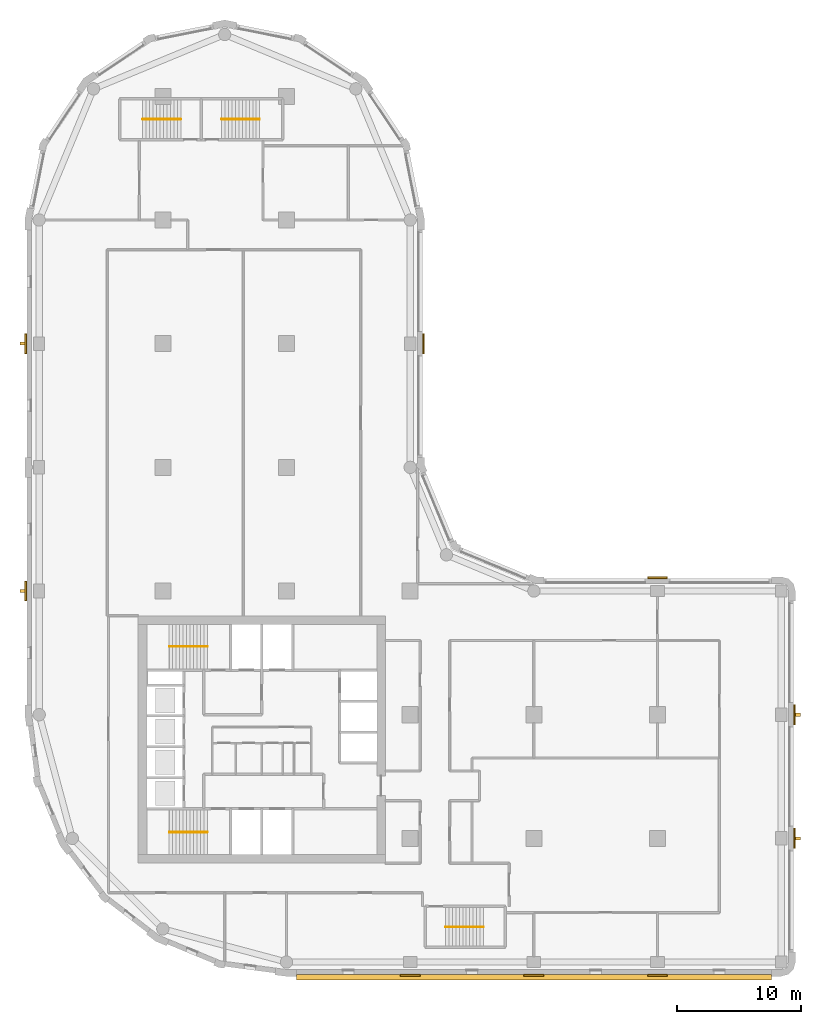
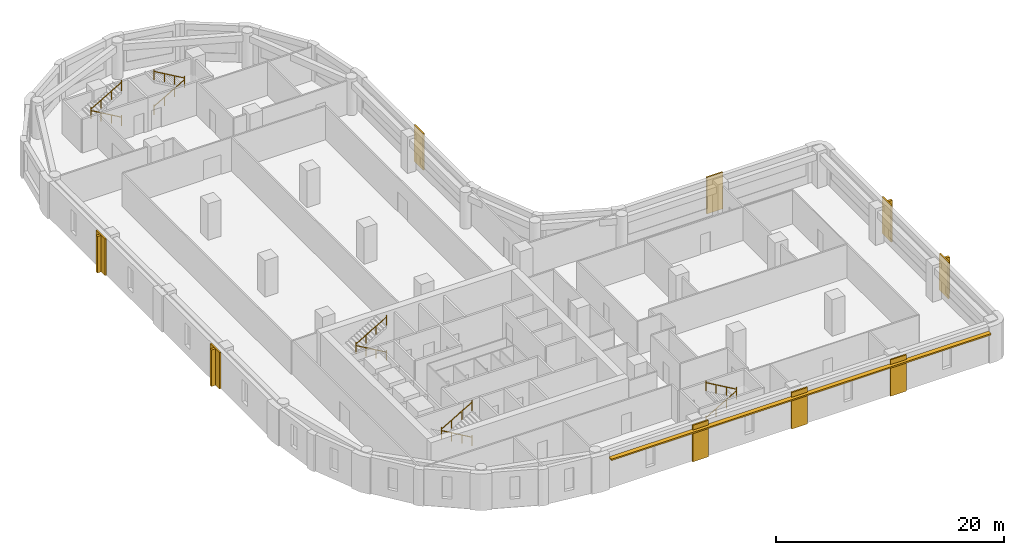
# One storey, part 8 of 9: 10 railings, 9 coverings, 5 shading devices.
"""IFC4 building model written with IfcOpenShell, lengths in metres."""

from ifc_helpers import new_model, si_unit, direction, frame, origin, origin_2d, place, context, subcontext, project, spatial, polyline, rectangle, circle, outline, extrude, material, layer, layer_set, type_object, element, save


model = new_model("IFC4")

# Units and contexts
model_context = context("Model", 3, precision=1e-05, world=origin(), true_north=direction((0.0, 1.0)))
body_context = subcontext(model_context, "Body", "Model", "MODEL_VIEW")
ifc_project = project(units=[si_unit("LENGTHUNIT", "METRE"), si_unit("AREAUNIT", "SQUARE_METRE"), si_unit("VOLUMEUNIT", "CUBIC_METRE"), si_unit("PLANEANGLEUNIT", "RADIAN"), si_unit("MASSUNIT", "GRAM", prefix="KILO")], contexts=[model_context])

# Site, building, storey
site_placement = place(None, origin())
site = spatial("IfcSite", under=ifc_project, at=site_placement, CompositionType="ELEMENT")
building_placement = place(site_placement, origin())
building = spatial("IfcBuilding", under=site, at=building_placement, Name="Qaws Garden Tower", CompositionType="ELEMENT")
storey_placement = place(building_placement, frame((0.0, 0.0, 143.39990234375)))
storey = spatial("IfcBuildingStorey", under=building, at=storey_placement, Name="L34", CompositionType="ELEMENT", Elevation=143.39990234375)

# Coverings
ifc_material_1 = material(Name="Clay facing brick masonry", Category="masonry")
ifc_layer_1 = layer(ifc_material_1, 0.14990234375)
ifc_layer_set_1 = layer_set([ifc_layer_1], Name="Clay facing brick masonry")
covering_type = type_object("IfcCoveringType", Name="Brick pilaster facing 150 x 1600", PredefinedType="CLADDING", material=ifc_layer_set_1)
placement = place(storey_placement, origin())
element("IfcCovering", 1, at=placement, inside=storey, type_object=covering_type, Name="E-L34-pier-01", PredefinedType="CLADDING", context=body_context, shape_type="SweptSolid", body=[
    extrude(outline(polyline([(29.199951171875, -1.0), (30.800048828125, -1.0), (30.800048828125, -1.14990234375), (29.199951171875, -1.14990234375), (29.199951171875, -1.0)])), origin(), (0.0, 0.0, 1.0), 3.900146484375),
])
element("IfcCovering", 2, at=placement, inside=storey, type_object=covering_type, Name="E-L34-pier-02", PredefinedType="CLADDING", context=body_context, shape_type="SweptSolid", body=[
    extrude(outline(polyline([(39.199951171875, -1.0), (40.800048828125, -1.0), (40.800048828125, -1.14990234375), (39.199951171875, -1.14990234375), (39.199951171875, -1.0)])), origin(), (0.0, 0.0, 1.0), 3.900146484375),
])
element("IfcCovering", 3, at=placement, inside=storey, type_object=covering_type, Name="E-L34-pier-03", PredefinedType="CLADDING", context=body_context, shape_type="SweptSolid", body=[
    extrude(outline(polyline([(49.199951171875, -1.0), (50.800048828125, -1.0), (50.800048828125, -1.14990234375), (49.199951171875, -1.14990234375), (49.199951171875, -1.0)])), origin(), (0.0, 0.0, 1.0), 3.900146484375),
])
element("IfcCovering", 4, at=placement, inside=storey, type_object=covering_type, Name="E-L34-pier-05", PredefinedType="CLADDING", context=body_context, shape_type="SweptSolid", body=[
    extrude(outline(polyline([(61.0, 9.199951171875), (61.0, 10.800048828125), (61.14990234375, 10.800048828125), (61.14990234375, 9.199951171875), (61.0, 9.199951171875)])), origin(), (0.0, 0.0, 1.0), 3.900146484375),
])
element("IfcCovering", 5, at=placement, inside=storey, type_object=covering_type, Name="E-L34-pier-06", PredefinedType="CLADDING", context=body_context, shape_type="SweptSolid", body=[
    extrude(outline(polyline([(61.0, 19.199951171875), (61.0, 20.800048828125), (61.14990234375, 20.800048828125), (61.14990234375, 19.199951171875), (61.0, 19.199951171875)])), origin(), (0.0, 0.0, 1.0), 3.900146484375),
])
element("IfcCovering", 6, at=placement, inside=storey, type_object=covering_type, Name="E-L34-pier-08", PredefinedType="CLADDING", context=body_context, shape_type="SweptSolid", body=[
    extrude(outline(polyline([(50.800048828125, 31.0), (49.199951171875, 31.0), (49.199951171875, 31.14990234375), (50.800048828125, 31.14990234375), (50.800048828125, 31.0)])), origin(), (0.0, 0.0, 1.0), 3.900146484375),
])
element("IfcCovering", 7, at=placement, inside=storey, type_object=covering_type, Name="E-L34-pier-12", PredefinedType="CLADDING", context=body_context, shape_type="SweptSolid", body=[
    extrude(outline(polyline([(31.0, 49.199951171875), (31.0, 50.800048828125), (31.14990234375, 50.800048828125), (31.14990234375, 49.199951171875), (31.0, 49.199951171875)])), origin(), (0.0, 0.0, 1.0), 3.900146484375),
])
element("IfcCovering", 8, at=placement, inside=storey, type_object=covering_type, Name="E-L34-pier-22", PredefinedType="CLADDING", context=body_context, shape_type="SweptSolid", body=[
    extrude(outline(polyline([(-1.0, 50.800048828125), (-1.0, 49.199951171875), (-1.14990234375, 49.199951171875), (-1.14990234375, 50.800048828125), (-1.0, 50.800048828125)])), origin(), (0.0, 0.0, 1.0), 3.900146484375),
])
element("IfcCovering", 9, at=placement, inside=storey, type_object=covering_type, Name="E-L34-pier-24", PredefinedType="CLADDING", context=body_context, shape_type="SweptSolid", body=[
    extrude(outline(polyline([(-1.0, 30.800048828125), (-1.0, 29.199951171875), (-1.14990234375, 29.199951171875), (-1.14990234375, 30.800048828125), (-1.0, 30.800048828125)])), origin(), (0.0, 0.0, 1.0), 3.900146484375),
])

# Shading devices
ifc_material_2 = material(Name="Clay facing brick masonry", Category="masonry")
ifc_layer_2 = layer(ifc_material_2, 0.14990234375)
ifc_layer_set_2 = layer_set([ifc_layer_2], Name="Clay facing brick masonry")
shading_device_type_1 = type_object("IfcShadingDeviceType", Name="Brick sunshade band 450 x 150", PredefinedType="JALOUSIE", material=ifc_layer_set_2)
shading_device_placement = place(storey_placement, frame((0.0, 0.0, 3.25)))
element("IfcShadingDevice", 10, at=shading_device_placement, inside=storey, type_object=shading_device_type_1, Name="SUNSHADE 00", PredefinedType="JALOUSIE", context=body_context, shape_type="SweptSolid", body=[
    extrude(outline(polyline([(20.800048828125, -1.0), (20.800048828125, -1.449951171875), (59.199951171875, -1.449951171875), (59.199951171875, -1.0), (50.800048828125, -1.0), (50.800048828125, -1.14990234375), (49.199951171875, -1.14990234375), (49.199951171875, -1.0), (40.800048828125, -1.0), (40.800048828125, -1.14990234375), (39.199951171875, -1.14990234375), (39.199951171875, -1.0), (30.800048828125, -1.0), (30.800048828125, -1.14990234375), (29.199951171875, -1.14990234375), (29.199951171875, -1.0), (20.800048828125, -1.0)])), origin(), (0.0, 0.0, 1.0), 0.150146484375),
])
ifc_material_3 = material(Name="Clay facing brick masonry", Category="masonry")
ifc_layer_3 = layer(ifc_material_3, 0.25)
ifc_layer_set_3 = layer_set([ifc_layer_3], Name="Clay facing brick masonry")
shading_device_type_2 = type_object("IfcShadingDeviceType", Name="Brick-faced fin 250 x 400", PredefinedType="USERDEFINED", material=ifc_layer_set_3)
for number, where, z_axis, x_axis, name in (
    (11, (61.35009765625, 10.0, 0.000244140625), (0.0, 0.0, 1.0), (0.0, 1.0, 0.0), "FIN 05"),
    (12, (61.35009765625, 20.0, 0.000244140625), (0.0, 0.0, 1.0), (0.0, 1.0, 0.0), "FIN 06"),
    (13, (-1.35009765625, 50.0, 0.000244140625), (0.0, 0.0, 1.0), (0.0, -1.0, 0.0), "FIN 22"),
    (14, (-1.35009765625, 30.0, 0.000244140625), (0.0, 0.0, 1.0), (0.0, -1.0, 0.0), "FIN 24"),
):
    element("IfcShadingDevice", number, at=place(storey_placement, frame(where, z_axis=z_axis, x_axis=x_axis)), inside=storey, type_object=shading_device_type_2, Name=name, ObjectType="FIN", PredefinedType="USERDEFINED", context=body_context, shape_type="SweptSolid", body=[
        extrude(rectangle(XDim=0.25, YDim=0.39990234375, at=origin_2d()), origin(), (0.0, 0.0, 1.0), 3.89990234375),
    ])

# Railings
ifc_material_4 = material(Name="Steel S355", Category="steel")
railing_type = type_object("IfcRailingType", Name="Stair handrail 900", PredefinedType="HANDRAIL", material=ifc_material_4)
railing_1_placement = place(storey_placement, frame((13.60009765625, 10.5, 0.16259765625)))
element("IfcRailing", 15, at=railing_1_placement, inside=storey, type_object=railing_type, Name="Stair 1 handrail", PredefinedType="HANDRAIL", context=body_context, shape_type="SweptSolid", body=[
    extrude(circle(Radius=0.02392578125, at=origin_2d()), frame((0.0, 0.0, 0.8759765625), z_axis=(-0.864890721111, 0.0, 0.501960198159), x_axis=(0.0, -1.0, 0.0)), (0.0, 0.0, 1.0), 3.561279296875),
    extrude(circle(Radius=0.02099609375, at=origin_2d()), origin(), (0.0, 0.0, 1.0), 1.06201171875),
    extrude(circle(Radius=0.02099609375, at=origin_2d()), frame((-1.026611328125, 0.0, 0.595947265625)), (0.0, 0.0, 1.0), 0.851806640625),
    extrude(circle(Radius=0.02099609375, at=origin_2d()), frame((-2.053466796875, 0.0, 1.191650390625)), (0.0, 0.0, 1.0), 0.851806640625),
    extrude(circle(Radius=0.02099609375, at=origin_2d()), frame((-3.080078125, 0.0, 1.78759765625)), (0.0, 0.0, 1.0), 1.06201171875),
])
railing_2_placement = place(storey_placement, frame((10.52001953125, 10.5, 2.112548828125)))
element("IfcRailing", 16, at=railing_2_placement, inside=storey, type_object=railing_type, Name="Stair 1 handrail", PredefinedType="HANDRAIL", context=body_context, shape_type="SweptSolid", body=[
    extrude(circle(Radius=0.02392578125, at=origin_2d()), frame((0.0, 0.0, 0.8759765625), z_axis=(0.864890721111, 0.0, 0.501960198159), x_axis=(0.0, 1.0, 0.0)), (0.0, 0.0, 1.0), 3.561279296875),
    extrude(circle(Radius=0.02099609375, at=origin_2d()), origin(), (0.0, 0.0, 1.0), 1.06201171875),
    extrude(circle(Radius=0.02099609375, at=origin_2d()), frame((1.026611328125, 0.0, 0.595947265625)), (0.0, 0.0, 1.0), 0.851806640625),
    extrude(circle(Radius=0.02099609375, at=origin_2d()), frame((2.053466796875, 0.0, 1.191650390625)), (0.0, 0.0, 1.0), 0.851806640625),
    extrude(circle(Radius=0.02099609375, at=origin_2d()), frame((3.080078125, 0.0, 1.78759765625)), (0.0, 0.0, 1.0), 1.06201171875),
])
railing_3_placement = place(storey_placement, frame((13.60009765625, 25.5, 0.16259765625)))
element("IfcRailing", 17, at=railing_3_placement, inside=storey, type_object=railing_type, Name="Stair 4 handrail", PredefinedType="HANDRAIL", context=body_context, shape_type="SweptSolid", body=[
    extrude(circle(Radius=0.02392578125, at=origin_2d()), frame((0.0, 0.0, 0.8759765625), z_axis=(-0.864890721111, 0.0, 0.501960198159), x_axis=(0.0, -1.0, 0.0)), (0.0, 0.0, 1.0), 3.561279296875),
    extrude(circle(Radius=0.02099609375, at=origin_2d()), origin(), (0.0, 0.0, 1.0), 1.06201171875),
    extrude(circle(Radius=0.02099609375, at=origin_2d()), frame((-1.026611328125, 0.0, 0.595947265625)), (0.0, 0.0, 1.0), 0.851806640625),
    extrude(circle(Radius=0.02099609375, at=origin_2d()), frame((-2.053466796875, 0.0, 1.191650390625)), (0.0, 0.0, 1.0), 0.851806640625),
    extrude(circle(Radius=0.02099609375, at=origin_2d()), frame((-3.080078125, 0.0, 1.78759765625)), (0.0, 0.0, 1.0), 1.06201171875),
])
railing_4_placement = place(storey_placement, frame((10.52001953125, 25.5, 2.112548828125)))
element("IfcRailing", 18, at=railing_4_placement, inside=storey, type_object=railing_type, Name="Stair 4 handrail", PredefinedType="HANDRAIL", context=body_context, shape_type="SweptSolid", body=[
    extrude(circle(Radius=0.02392578125, at=origin_2d()), frame((0.0, 0.0, 0.8759765625), z_axis=(0.864890721111, 0.0, 0.501960198159), x_axis=(0.0, 1.0, 0.0)), (0.0, 0.0, 1.0), 3.561279296875),
    extrude(circle(Radius=0.02099609375, at=origin_2d()), origin(), (0.0, 0.0, 1.0), 1.06201171875),
    extrude(circle(Radius=0.02099609375, at=origin_2d()), frame((1.026611328125, 0.0, 0.595947265625)), (0.0, 0.0, 1.0), 0.851806640625),
    extrude(circle(Radius=0.02099609375, at=origin_2d()), frame((2.053466796875, 0.0, 1.191650390625)), (0.0, 0.0, 1.0), 0.851806640625),
    extrude(circle(Radius=0.02099609375, at=origin_2d()), frame((3.080078125, 0.0, 1.78759765625)), (0.0, 0.0, 1.0), 1.06201171875),
])
railing_5_placement = place(storey_placement, frame((32.85009765625, 2.85009765625, 0.16259765625)))
element("IfcRailing", 19, at=railing_5_placement, inside=storey, type_object=railing_type, Name="Stair 5 handrail", PredefinedType="HANDRAIL", context=body_context, shape_type="SweptSolid", body=[
    extrude(circle(Radius=0.02392578125, at=origin_2d()), frame((0.0, 0.0, 0.8759765625), z_axis=(0.864873446163, 0.0, 0.501989962173), x_axis=(0.0, 1.0, 0.0)), (0.0, 0.0, 1.0), 3.56103515625),
    extrude(circle(Radius=0.02099609375, at=origin_2d()), origin(), (0.0, 0.0, 1.0), 1.06201171875),
    extrude(circle(Radius=0.02099609375, at=origin_2d()), frame((1.026611328125, 0.0, 0.595947265625)), (0.0, 0.0, 1.0), 0.851806640625),
    extrude(circle(Radius=0.02099609375, at=origin_2d()), frame((2.05322265625, 0.0, 1.191650390625)), (0.0, 0.0, 1.0), 0.851806640625),
    extrude(circle(Radius=0.02099609375, at=origin_2d()), frame((3.079833984375, 0.0, 1.78759765625)), (0.0, 0.0, 1.0), 1.06201171875),
])
for number, where, name in (
    (20, (35.929931640625, 2.85009765625, 2.112548828125), "Stair 5 handrail"),
    (21, (11.449951171875, 68.14990234375, 0.16259765625), "Stair 6 handrail"),
):
    element("IfcRailing", number, at=place(storey_placement, frame(where)), inside=storey, type_object=railing_type, Name=name, PredefinedType="HANDRAIL", context=body_context, shape_type="SweptSolid", body=[
        extrude(circle(Radius=0.02392578125, at=origin_2d()), frame((0.0, 0.0, 0.8759765625), z_axis=(-0.864873446163, 0.0, 0.501989962173), x_axis=(0.0, -1.0, 0.0)), (0.0, 0.0, 1.0), 3.56103515625),
        extrude(circle(Radius=0.02099609375, at=origin_2d()), origin(), (0.0, 0.0, 1.0), 1.06201171875),
        extrude(circle(Radius=0.02099609375, at=origin_2d()), frame((-1.026611328125, 0.0, 0.595947265625)), (0.0, 0.0, 1.0), 0.851806640625),
        extrude(circle(Radius=0.02099609375, at=origin_2d()), frame((-2.05322265625, 0.0, 1.191650390625)), (0.0, 0.0, 1.0), 0.851806640625),
        extrude(circle(Radius=0.02099609375, at=origin_2d()), frame((-3.079833984375, 0.0, 1.78759765625)), (0.0, 0.0, 1.0), 1.06201171875),
    ])
railing_6_placement = place(storey_placement, frame((8.3701171875, 68.14990234375, 2.112548828125)))
element("IfcRailing", 22, at=railing_6_placement, inside=storey, type_object=railing_type, Name="Stair 6 handrail", PredefinedType="HANDRAIL", context=body_context, shape_type="SweptSolid", body=[
    extrude(circle(Radius=0.02392578125, at=origin_2d()), frame((0.0, 0.0, 0.8759765625), z_axis=(0.864873446163, 0.0, 0.501989962173), x_axis=(0.0, 1.0, 0.0)), (0.0, 0.0, 1.0), 3.56103515625),
    extrude(circle(Radius=0.02099609375, at=origin_2d()), origin(), (0.0, 0.0, 1.0), 1.06201171875),
    extrude(circle(Radius=0.02099609375, at=origin_2d()), frame((1.026611328125, 0.0, 0.595947265625)), (0.0, 0.0, 1.0), 0.851806640625),
    extrude(circle(Radius=0.02099609375, at=origin_2d()), frame((2.05322265625, 0.0, 1.191650390625)), (0.0, 0.0, 1.0), 0.851806640625),
    extrude(circle(Radius=0.02099609375, at=origin_2d()), frame((3.079833984375, 0.0, 1.78759765625)), (0.0, 0.0, 1.0), 1.06201171875),
])
railing_7_placement = place(storey_placement, frame((14.75, 68.14990234375, 0.16259765625)))
element("IfcRailing", 23, at=railing_7_placement, inside=storey, type_object=railing_type, Name="Stair 7 handrail", PredefinedType="HANDRAIL", context=body_context, shape_type="SweptSolid", body=[
    extrude(circle(Radius=0.02392578125, at=origin_2d()), frame((0.0, 0.0, 0.8759765625), z_axis=(0.864890721111, 0.0, 0.501960198159), x_axis=(0.0, 1.0, 0.0)), (0.0, 0.0, 1.0), 3.561279296875),
    extrude(circle(Radius=0.02099609375, at=origin_2d()), origin(), (0.0, 0.0, 1.0), 1.06201171875),
    extrude(circle(Radius=0.02099609375, at=origin_2d()), frame((1.026611328125, 0.0, 0.595947265625)), (0.0, 0.0, 1.0), 0.851806640625),
    extrude(circle(Radius=0.02099609375, at=origin_2d()), frame((2.053466796875, 0.0, 1.191650390625)), (0.0, 0.0, 1.0), 0.851806640625),
    extrude(circle(Radius=0.02099609375, at=origin_2d()), frame((3.080078125, 0.0, 1.78759765625)), (0.0, 0.0, 1.0), 1.06201171875),
])
railing_8_placement = place(storey_placement, frame((17.830078125, 68.14990234375, 2.112548828125)))
element("IfcRailing", 24, at=railing_8_placement, inside=storey, type_object=railing_type, Name="Stair 7 handrail", PredefinedType="HANDRAIL", context=body_context, shape_type="SweptSolid", body=[
    extrude(circle(Radius=0.02392578125, at=origin_2d()), frame((0.0, 0.0, 0.8759765625), z_axis=(-0.864890721111, 0.0, 0.501960198159), x_axis=(0.0, -1.0, 0.0)), (0.0, 0.0, 1.0), 3.561279296875),
    extrude(circle(Radius=0.02099609375, at=origin_2d()), origin(), (0.0, 0.0, 1.0), 1.06201171875),
    extrude(circle(Radius=0.02099609375, at=origin_2d()), frame((-1.026611328125, 0.0, 0.595947265625)), (0.0, 0.0, 1.0), 0.851806640625),
    extrude(circle(Radius=0.02099609375, at=origin_2d()), frame((-2.053466796875, 0.0, 1.191650390625)), (0.0, 0.0, 1.0), 0.851806640625),
    extrude(circle(Radius=0.02099609375, at=origin_2d()), frame((-3.080078125, 0.0, 1.78759765625)), (0.0, 0.0, 1.0), 1.06201171875),
])

save(model, "model.ifc")
